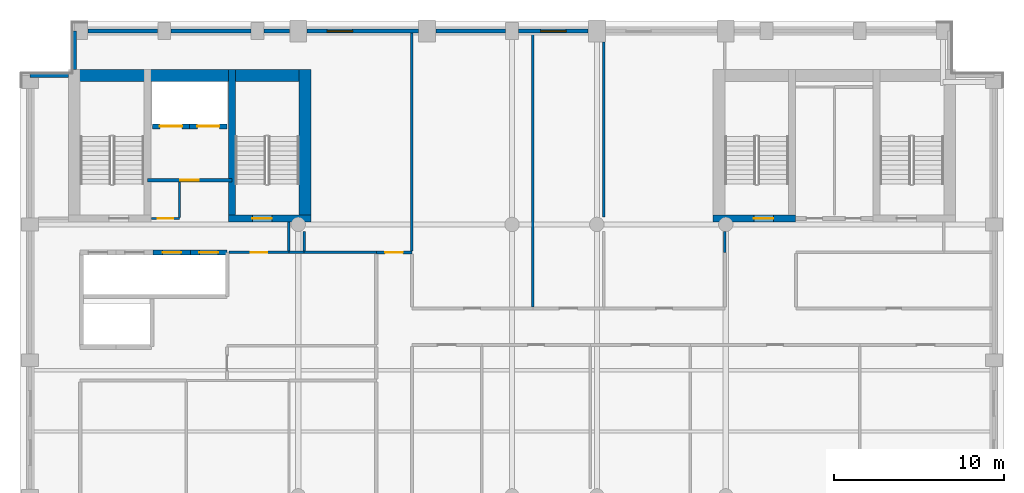
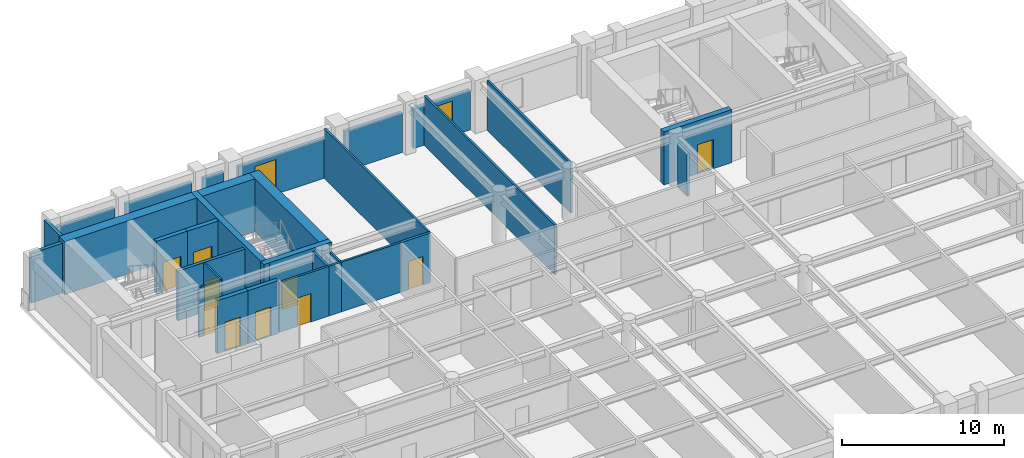
# One storey, part 5 of 9: 30 walls, 10 doors, 2 windows, 12 openings.
"""IFC4 building model written with IfcOpenShell, lengths in metres."""

from ifc_helpers import new_model, si_unit, direction, frame, frame_2d, origin, place, context, subcontext, project, spatial, rectangle, extrude, material, layer, layer_set, type_object, element, fill, save


model = new_model("IFC4")

# Units and contexts
model_context = context("Model", 3, precision=1e-05, world=origin(), true_north=direction((0.0, 1.0)))
body_context = subcontext(model_context, "Body", "Model", "MODEL_VIEW")
ifc_project = project(units=[si_unit("LENGTHUNIT", "METRE"), si_unit("AREAUNIT", "SQUARE_METRE"), si_unit("VOLUMEUNIT", "CUBIC_METRE"), si_unit("PLANEANGLEUNIT", "RADIAN"), si_unit("MASSUNIT", "GRAM", prefix="KILO")], contexts=[model_context])

# Site, building, storey
site_placement = place(None, origin())
site = spatial("IfcSite", under=ifc_project, at=site_placement, CompositionType="ELEMENT")
building_placement = place(site_placement, origin())
building = spatial("IfcBuilding", under=site, at=building_placement, Name="Sulina Concourse Tower", CompositionType="ELEMENT")
storey_placement = place(building_placement, frame((0.0, 0.0, 268.60009765625)))
storey = spatial("IfcBuildingStorey", under=building, at=storey_placement, Name="L65", CompositionType="ELEMENT", Elevation=268.60009765625)

# Wall, opening, door
ifc_material_1 = material(Name="Concrete C50/60", Category="concrete")
ifc_layer_1 = layer(ifc_material_1, 0.300048828125)
ifc_layer_set_1 = layer_set([ifc_layer_1], Name="Concrete C50/60")
wall_type_1 = type_object("IfcWallType", Name="Core Lift Hoistway Wall 300mm", PredefinedType="SOLIDWALL", material=ifc_layer_set_1)
wall_1_placement = place(storey_placement, frame((7.85009765625, 32.35009765625, 0.0), z_axis=(0.0, 0.0, 1.0), x_axis=(1.0, 0.0, 0.0)))
wall_1 = element("IfcWall", 1, at=wall_1_placement, inside=storey, type_object=wall_type_1, Name="L65 hoistway enclosure wall LP-11", PredefinedType="SOLIDWALL", context=body_context, shape_type="SweptSolid", body=[
    extrude(rectangle(XDim=2.199951171875, YDim=0.300048828125, at=frame_2d((1.10009765625, 0.0))), origin(), (0.0, 0.0, 1.0), 4.0),
])
opening_1_placement = place(wall_1_placement, frame((0.550048828125, 0.0, 0.0)))
opening_1 = element("IfcOpeningElement", 2, at=opening_1_placement, cuts=wall_1, Name="Opening LD-01", PredefinedType="OPENING", context=body_context, shape_type="SweptSolid", body=[
    extrude(rectangle(XDim=1.10009765625, YDim=2.199951171875, at=frame_2d((0.550048828125, 1.10009765625))), frame((0.0, 0.159912109375, 0.0), z_axis=(0.0, -1.0, 0.0), x_axis=(1.0, 0.0, 0.0)), (0.0, 0.0, 1.0), 0.320068359375),
])
ifc_material_2 = material(Name="Stainless steel lift landing door", Category="steel")
ifc_layer_2 = layer(ifc_material_2, 0.050048828125)
ifc_layer_set_2 = layer_set([ifc_layer_2], Name="Stainless steel lift landing door")
door_type_1 = type_object("IfcDoorType", Name="Passenger Lift Sliding Landing Door 1100x2200", OperationType="SLIDING_TO_LEFT", PredefinedType="DOOR", material=ifc_layer_set_2)
door_1_placement = place(opening_1_placement, origin())
door_1 = element("IfcDoor", 3, at=door_1_placement, inside=storey, type_object=door_type_1, Name="L65 lift landing sliding door LP-11", OperationType="SLIDING_TO_LEFT", OverallHeight=2.199951171875, OverallWidth=1.10009765625, PredefinedType="DOOR", context=body_context, shape_type="SweptSolid", body=[
    extrude(rectangle(XDim=1.10009765625, YDim=2.199951171875, at=frame_2d((0.550048828125, 1.10009765625))), frame((0.0, 0.02490234375, 0.0), z_axis=(0.0, -1.0, 0.0), x_axis=(1.0, 0.0, 0.0)), (0.0, 0.0, 1.0), 0.050048828125),
])
fill(opening_1, door_1)

wall_2_placement = place(storey_placement, frame((10.050048828125, 32.35009765625, 0.0), z_axis=(0.0, 0.0, 1.0), x_axis=(1.0, 0.0, 0.0)))
wall_2 = element("IfcWall", 4, at=wall_2_placement, inside=storey, type_object=wall_type_1, Name="L65 hoistway enclosure wall LP-12", PredefinedType="SOLIDWALL", context=body_context, shape_type="SweptSolid", body=[
    extrude(rectangle(XDim=2.14990234375, YDim=0.300048828125, at=frame_2d((1.074951171875, 0.0))), origin(), (0.0, 0.0, 1.0), 4.0),
])
opening_2_placement = place(wall_2_placement, frame((0.52490234375, 0.0, 0.0)))
opening_2 = element("IfcOpeningElement", 5, at=opening_2_placement, cuts=wall_2, Name="Opening LD-01", PredefinedType="OPENING", context=body_context, shape_type="SweptSolid", body=[
    extrude(rectangle(XDim=1.10009765625, YDim=2.199951171875, at=frame_2d((0.550048828125, 1.10009765625))), frame((0.0, 0.159912109375, 0.0), z_axis=(0.0, -1.0, 0.0), x_axis=(1.0, 0.0, 0.0)), (0.0, 0.0, 1.0), 0.320068359375),
])
door_2_placement = place(opening_2_placement, origin())
door_2 = element("IfcDoor", 6, at=door_2_placement, inside=storey, type_object=door_type_1, Name="L65 lift landing sliding door LP-12", OperationType="SLIDING_TO_RIGHT", OverallHeight=2.199951171875, OverallWidth=1.10009765625, PredefinedType="DOOR", context=body_context, shape_type="SweptSolid", body=[
    extrude(rectangle(XDim=1.10009765625, YDim=2.199951171875, at=frame_2d((0.550048828125, 1.10009765625))), frame((0.0, 0.02490234375, 0.0), z_axis=(0.0, -1.0, 0.0), x_axis=(1.0, 0.0, 0.0)), (0.0, 0.0, 1.0), 0.050048828125),
])
fill(opening_2, door_2)

wall_3_placement = place(storey_placement, frame((10.0, 39.780029296875, 0.0), z_axis=(0.0, 0.0, 1.0), x_axis=(-1.0, 0.0, 0.0)))
wall_3 = element("IfcWall", 7, at=wall_3_placement, inside=storey, type_object=wall_type_1, Name="L65 hoistway enclosure wall FFL-1", PredefinedType="SOLIDWALL", context=body_context, shape_type="SweptSolid", body=[
    extrude(rectangle(XDim=2.199951171875, YDim=0.300048828125, at=frame_2d((1.10009765625, 0.0))), origin(), (0.0, 0.0, 1.0), 4.0),
])
opening_3_placement = place(wall_3_placement, frame((0.449951171875, 0.0, 0.0)))
opening_3 = element("IfcOpeningElement", 8, at=opening_3_placement, cuts=wall_3, Name="Opening LD-02", PredefinedType="OPENING", context=body_context, shape_type="SweptSolid", body=[
    extrude(rectangle(XDim=1.300048828125, YDim=2.25, at=frame_2d((0.64990234375, 1.125))), frame((0.0, 0.159912109375, 0.0), z_axis=(0.0, -1.0, 0.0), x_axis=(1.0, 0.0, 0.0)), (0.0, 0.0, 1.0), 0.320068359375),
])
ifc_material_3 = material(Name="Stainless steel lift landing door", Category="steel")
ifc_layer_3 = layer(ifc_material_3, 0.050048828125)
ifc_layer_set_3 = layer_set([ifc_layer_3], Name="Stainless steel lift landing door")
door_type_2 = type_object("IfcDoorType", Name="Firefighting Lift Sliding Landing Door 1300x2250", OperationType="SLIDING_TO_RIGHT", PredefinedType="DOOR", material=ifc_layer_set_3)
door_3_placement = place(opening_3_placement, origin())
door_3 = element("IfcDoor", 9, at=door_3_placement, inside=storey, type_object=door_type_2, Name="L65 lift landing sliding door FFL-1", OperationType="SLIDING_TO_LEFT", OverallHeight=2.25, OverallWidth=1.300048828125, PredefinedType="DOOR", context=body_context, shape_type="SweptSolid", body=[
    extrude(rectangle(XDim=1.300048828125, YDim=2.25, at=frame_2d((0.64990234375, 1.125))), frame((0.0, 0.02490234375, 0.0), z_axis=(0.0, -1.0, 0.0), x_axis=(1.0, 0.0, 0.0)), (0.0, 0.0, 1.0), 0.050048828125),
])
fill(opening_3, door_3)

wall_4_placement = place(storey_placement, frame((12.199951171875, 39.780029296875, 0.0), z_axis=(0.0, 0.0, 1.0), x_axis=(-1.0, 0.0, 0.0)))
wall_4 = element("IfcWall", 10, at=wall_4_placement, inside=storey, type_object=wall_type_1, Name="L65 hoistway enclosure wall FFL-2", PredefinedType="SOLIDWALL", context=body_context, shape_type="SweptSolid", body=[
    extrude(rectangle(XDim=2.199951171875, YDim=0.300048828125, at=frame_2d((1.10009765625, 0.0))), origin(), (0.0, 0.0, 1.0), 4.0),
])
opening_4_placement = place(wall_4_placement, frame((0.449951171875, 0.0, 0.0)))
opening_4 = element("IfcOpeningElement", 11, at=opening_4_placement, cuts=wall_4, Name="Opening LD-02", PredefinedType="OPENING", context=body_context, shape_type="SweptSolid", body=[
    extrude(rectangle(XDim=1.300048828125, YDim=2.25, at=frame_2d((0.64990234375, 1.125))), frame((0.0, 0.159912109375, 0.0), z_axis=(0.0, -1.0, 0.0), x_axis=(1.0, 0.0, 0.0)), (0.0, 0.0, 1.0), 0.320068359375),
])
door_4_placement = place(opening_4_placement, origin())
door_4 = element("IfcDoor", 12, at=door_4_placement, inside=storey, type_object=door_type_2, Name="L65 lift landing sliding door FFL-2", OperationType="SLIDING_TO_RIGHT", OverallHeight=2.25, OverallWidth=1.300048828125, PredefinedType="DOOR", context=body_context, shape_type="SweptSolid", body=[
    extrude(rectangle(XDim=1.300048828125, YDim=2.25, at=frame_2d((0.64990234375, 1.125))), frame((0.0, 0.02490234375, 0.0), z_axis=(0.0, -1.0, 0.0), x_axis=(1.0, 0.0, 0.0)), (0.0, 0.0, 1.0), 0.050048828125),
])
fill(opening_4, door_4)

# Walls
ifc_material_4 = material(Name="Precast concrete C50/60", Category="concrete")
ifc_layer_4 = layer(ifc_material_4, 0.239990234375)
ifc_layer_set_4 = layer_set([ifc_layer_4], Name="Precast concrete C50/60")
wall_type_2 = type_object("IfcWallType", Name="Crown Precast Masonry-Frame Facade Wall 240mm", PredefinedType="SOLIDWALL", material=ifc_layer_set_4)
wall_5_placement = place(storey_placement, frame((3.9951171875, 45.39990234375, 0.0), z_axis=(0.0, 0.0, 1.0), x_axis=(1.0, 0.0, 0.0)))
element("IfcWall", 13, at=wall_5_placement, inside=storey, type_object=wall_type_2, Name="L65 exterior precast wall N1", PredefinedType="SOLIDWALL", context=body_context, shape_type="SweptSolid", body=[
    extrude(rectangle(XDim=4.10986328125, YDim=0.239990234375, at=frame_2d((2.054931640625, 0.0))), origin(), (0.0, 0.0, 1.0), 3.0),
])
wall_6_placement = place(storey_placement, frame((8.89501953125, 45.39990234375, 0.0), z_axis=(0.0, 0.0, 1.0), x_axis=(1.0, 0.0, 0.0)))
element("IfcWall", 14, at=wall_6_placement, inside=storey, type_object=wall_type_2, Name="L65 exterior precast wall N2", PredefinedType="SOLIDWALL", context=body_context, shape_type="SweptSolid", body=[
    extrude(rectangle(XDim=4.7099609375, YDim=0.239990234375, at=frame_2d((2.35498046875, 0.0))), origin(), (0.0, 0.0, 1.0), 3.0),
])
wall_7_placement = place(storey_placement, frame((14.39501953125, 45.39990234375, 0.0), z_axis=(0.0, 0.0, 1.0), x_axis=(1.0, 0.0, 0.0)))
element("IfcWall", 15, at=wall_7_placement, inside=storey, type_object=wall_type_2, Name="L65 exterior precast wall N3", PredefinedType="SOLIDWALL", context=body_context, shape_type="SweptSolid", body=[
    extrude(rectangle(XDim=1.48486328125, YDim=0.239990234375, at=frame_2d((0.742431640625, 0.0))), origin(), (0.0, 0.0, 1.0), 3.0),
])

# Wall, opening, window
wall_8_placement = place(storey_placement, frame((16.919921875, 45.39990234375, 0.0), z_axis=(0.0, 0.0, 1.0), x_axis=(1.0, 0.0, 0.0)))
wall_8 = element("IfcWall", 16, at=wall_8_placement, inside=storey, type_object=wall_type_2, Name="L65 exterior precast wall N4", PredefinedType="SOLIDWALL", context=body_context, shape_type="SweptSolid", body=[
    extrude(rectangle(XDim=6.56005859375, YDim=0.239990234375, at=frame_2d((3.280029296875, 0.0))), origin(), (0.0, 0.0, 1.0), 3.0),
])
opening_5_placement = place(wall_8_placement, frame((1.186767578125, 0.0, 0.419921875)))
opening_5 = element("IfcOpeningElement", 17, at=opening_5_placement, cuts=wall_8, Name="Opening WN-71", PredefinedType="OPENING", context=body_context, shape_type="SweptSolid", body=[
    extrude(rectangle(XDim=1.5, YDim=2.199951171875, at=frame_2d((0.75, 1.10009765625))), frame((0.0, 0.1298828125, 0.0), z_axis=(0.0, -1.0, 0.0), x_axis=(1.0, 0.0, 0.0)), (0.0, 0.0, 1.0), 0.260009765625),
])
ifc_material_5 = material(Name="Low-E solar double glazing in bronze aluminium", Category="aluminium")
window_type = type_object("IfcWindowType", Name="Punched Masonry-Frame Window 1500x2200", PartitioningType="SINGLE_PANEL", PredefinedType="WINDOW", material=ifc_material_5)
window_1_placement = place(opening_5_placement, origin())
window_1 = element("IfcWindow", 18, at=window_1_placement, inside=storey, type_object=window_type, Name="L65 punched window N4-1", OverallHeight=2.199951171875, OverallWidth=1.5, PartitioningType="SINGLE_PANEL", PredefinedType="WINDOW", context=body_context, shape_type="SweptSolid", body=[
    extrude(rectangle(XDim=1.5, YDim=2.199951171875, at=frame_2d((0.75, 1.10009765625))), frame((0.0, 0.030029296875, 0.0), z_axis=(0.0, -1.0, 0.0), x_axis=(1.0, 0.0, 0.0)), (0.0, 0.0, 1.0), 0.06005859375),
])
fill(opening_5, window_1)

# Wall
wall_9_placement = place(storey_placement, frame((24.52001953125, 45.39990234375, 0.0), z_axis=(0.0, 0.0, 1.0), x_axis=(1.0, 0.0, 0.0)))
element("IfcWall", 19, at=wall_9_placement, inside=storey, type_object=wall_type_2, Name="L65 exterior precast wall N5", PredefinedType="SOLIDWALL", context=body_context, shape_type="SweptSolid", body=[
    extrude(rectangle(XDim=4.0849609375, YDim=0.239990234375, at=frame_2d((2.04248046875, 0.0))), origin(), (0.0, 0.0, 1.0), 3.0),
])

# Wall, opening, window
wall_10_placement = place(storey_placement, frame((29.39501953125, 45.39990234375, 0.0), z_axis=(0.0, 0.0, 1.0), x_axis=(1.0, 0.0, 0.0)))
wall_10 = element("IfcWall", 20, at=wall_10_placement, inside=storey, type_object=wall_type_2, Name="L65 exterior precast wall N6", PredefinedType="SOLIDWALL", context=body_context, shape_type="SweptSolid", body=[
    extrude(rectangle(XDim=4.0849609375, YDim=0.239990234375, at=frame_2d((2.04248046875, 0.0))), origin(), (0.0, 0.0, 1.0), 3.0),
])
opening_6_placement = place(wall_10_placement, frame((1.29248046875, 0.0, 0.419921875)))
opening_6 = element("IfcOpeningElement", 21, at=opening_6_placement, cuts=wall_10, Name="Opening WN-71", PredefinedType="OPENING", context=body_context, shape_type="SweptSolid", body=[
    extrude(rectangle(XDim=1.5, YDim=2.199951171875, at=frame_2d((0.75, 1.10009765625))), frame((0.0, 0.1298828125, 0.0), z_axis=(0.0, -1.0, 0.0), x_axis=(1.0, 0.0, 0.0)), (0.0, 0.0, 1.0), 0.260009765625),
])
window_2_placement = place(opening_6_placement, origin())
window_2 = element("IfcWindow", 22, at=window_2_placement, inside=storey, type_object=window_type, Name="L65 punched window N6-1", OverallHeight=2.199951171875, OverallWidth=1.5, PartitioningType="SINGLE_PANEL", PredefinedType="WINDOW", context=body_context, shape_type="SweptSolid", body=[
    extrude(rectangle(XDim=1.5, YDim=2.199951171875, at=frame_2d((0.75, 1.10009765625))), frame((0.0, 0.030029296875, 0.0), z_axis=(0.0, -1.0, 0.0), x_axis=(1.0, 0.0, 0.0)), (0.0, 0.0, 1.0), 0.06005859375),
])
fill(opening_6, window_2)

# Walls
wall_11_placement = place(storey_placement, frame((0.60009765625, 42.794921875, 0.0), z_axis=(0.0, 0.0, 1.0), x_axis=(1.0, 0.0, 0.0)))
element("IfcWall", 23, at=wall_11_placement, inside=storey, type_object=wall_type_2, Name="L65 exterior precast wall CNW1", PredefinedType="SOLIDWALL", context=body_context, shape_type="SweptSolid", body=[
    extrude(rectangle(XDim=2.244873046875, YDim=0.239990234375, at=frame_2d((1.12255859375, 0.0))), origin(), (0.0, 0.0, 1.0), 3.75),
])
wall_12_placement = place(storey_placement, frame((3.205078125, 43.135009765625, 0.0), z_axis=(0.0, 0.0, 1.0), x_axis=(0.0, 1.0, 0.0)))
element("IfcWall", 24, at=wall_12_placement, inside=storey, type_object=wall_type_2, Name="L65 exterior precast wall CNW2", PredefinedType="SOLIDWALL", context=body_context, shape_type="SweptSolid", body=[
    extrude(rectangle(XDim=2.264892578125, YDim=0.239990234375, at=frame_2d((1.13232421875, 0.0))), origin(), (0.0, 0.0, 1.0), 3.75),
])

# Wall, opening, door
ifc_material_6 = material(Name="Gypsum board on steel stud", Category="steel")
ifc_layer_5 = layer(ifc_material_6, 0.219970703125)
ifc_layer_set_5 = layer_set([ifc_layer_5], Name="Gypsum board on steel stud")
wall_type_3 = type_object("IfcWallType", Name="Fire-Rated Lobby & Compartment Wall 220mm", PredefinedType="PARTITIONING", material=ifc_layer_set_5)
wall_13_placement = place(storey_placement, frame((7.510009765625, 36.60009765625, 0.0), z_axis=(0.0, 0.0, 1.0), x_axis=(1.0, 0.0, 0.0)))
wall_13 = element("IfcWall", 25, at=wall_13_placement, inside=storey, type_object=wall_type_3, Name="L65 firefighting lobby south fire wall", PredefinedType="PARTITIONING", context=body_context, shape_type="SweptSolid", body=[
    extrude(rectangle(XDim=4.97998046875, YDim=0.219970703125, at=frame_2d((2.489990234375, 0.0))), origin(), (0.0, 0.0, 1.0), 3.75),
])
opening_7_placement = place(wall_13_placement, frame((1.93994140625, 0.0, 0.0)))
opening_7 = element("IfcOpeningElement", 26, at=opening_7_placement, cuts=wall_13, Name="Opening DR-47", PredefinedType="OPENING", context=body_context, shape_type="SweptSolid", body=[
    extrude(rectangle(XDim=1.10009765625, YDim=2.199951171875, at=frame_2d((0.550048828125, 1.10009765625))), frame((0.0, 0.119873046875, 0.0), z_axis=(0.0, -1.0, 0.0), x_axis=(1.0, 0.0, 0.0)), (0.0, 0.0, 1.0), 0.239990234375),
])
ifc_material_7 = material(Name="Galvanised steel acoustic fire leaf", Category="steel")
ifc_layer_6 = layer(ifc_material_7, 0.054931640625)
ifc_layer_set_6 = layer_set([ifc_layer_6], Name="Galvanised steel acoustic fire leaf")
door_type_3 = type_object("IfcDoorType", Name="Firefighting Lobby Fire Door 1100x2200", OperationType="NOTDEFINED", PredefinedType="DOOR", material=ifc_layer_set_6)
door_5_placement = place(opening_7_placement, origin())
door_5 = element("IfcDoor", 27, at=door_5_placement, inside=storey, type_object=door_type_3, Name="L65 firefighting lobby fire door", OperationType="SINGLE_SWING_RIGHT", OverallHeight=2.199951171875, OverallWidth=1.10009765625, PredefinedType="DOOR", context=body_context, shape_type="SweptSolid", body=[
    extrude(rectangle(XDim=1.10009765625, YDim=2.199951171875, at=frame_2d((0.550048828125, 1.10009765625))), frame((0.0, 0.02490234375, 0.0), z_axis=(0.0, -1.0, 0.0), x_axis=(1.0, 0.0, 0.0)), (0.0, 0.0, 1.0), 0.050048828125),
])
fill(opening_7, door_5)

ifc_material_8 = material(Name="Gypsum board on steel stud", Category="steel")
ifc_layer_7 = layer(ifc_material_8, 0.14990234375)
ifc_layer_set_7 = layer_set([ifc_layer_7], Name="Gypsum board on steel stud")
wall_type_4 = type_object("IfcWallType", Name="Inter-Tenancy Acoustic Partition 150mm", PredefinedType="PARTITIONING", material=ifc_layer_set_7)
wall_14_placement = place(storey_placement, frame((12.330078125, 32.35009765625, 0.0), z_axis=(0.0, 0.0, 1.0), x_axis=(1.0, 0.0, 0.0)))
wall_14 = element("IfcWall", 28, at=wall_14_placement, inside=storey, type_object=wall_type_4, Name="L65 interior partition 021", PredefinedType="PARTITIONING", context=body_context, shape_type="SweptSolid", body=[
    extrude(rectangle(XDim=3.52001953125, YDim=0.14990234375, at=frame_2d((1.760009765625, 0.0))), origin(), (0.0, 0.0, 1.0), 3.75),
])
opening_8_placement = place(wall_14_placement, frame((1.284912109375, 0.0, 0.0)))
opening_8 = element("IfcOpeningElement", 29, at=opening_8_placement, cuts=wall_14, Name="Opening DR-19", PredefinedType="OPENING", context=body_context, shape_type="SweptSolid", body=[
    extrude(rectangle(XDim=0.949951171875, YDim=2.14990234375, at=frame_2d((0.47509765625, 1.074951171875))), frame((0.0, 0.0849609375, 0.0), z_axis=(0.0, -1.0, 0.0), x_axis=(1.0, 0.0, 0.0)), (0.0, 0.0, 1.0), 0.169921875),
])
ifc_material_9 = material(Name="Oak-veneered acoustic timber leaf", Category="wood")
ifc_layer_8 = layer(ifc_material_9, 0.050048828125)
ifc_layer_set_8 = layer_set([ifc_layer_8], Name="Oak-veneered acoustic timber leaf")
door_type_4 = type_object("IfcDoorType", Name="Cellular Office & Meeting Door 950x2150", OperationType="NOTDEFINED", PredefinedType="DOOR", material=ifc_layer_set_8)
door_6_placement = place(opening_8_placement, origin())
door_6 = element("IfcDoor", 30, at=door_6_placement, inside=storey, type_object=door_type_4, Name="L65 interior door L65-MR-MRG2", OperationType="SINGLE_SWING_RIGHT", OverallHeight=2.14990234375, OverallWidth=0.949951171875, PredefinedType="DOOR", context=body_context, shape_type="SweptSolid", body=[
    extrude(rectangle(XDim=0.949951171875, YDim=2.14990234375, at=frame_2d((0.47509765625, 1.074951171875))), frame((0.0, 0.02490234375, 0.0), z_axis=(0.0, -1.0, 0.0), x_axis=(1.0, 0.0, 0.0)), (0.0, 0.0, 1.0), 0.050048828125),
])
fill(opening_8, door_6)

# Walls
wall_15_placement = place(storey_placement, frame((15.85009765625, 32.35009765625, 0.0), z_axis=(0.0, 0.0, 1.0), x_axis=(1.0, 0.0, 0.0)))
element("IfcWall", 31, at=wall_15_placement, inside=storey, type_object=wall_type_4, Name="L65 interior partition 022", PredefinedType="PARTITIONING", context=body_context, shape_type="SweptSolid", body=[
    extrude(rectangle(XDim=0.89990234375, YDim=0.14990234375, at=frame_2d((0.449951171875, 0.0))), origin(), (0.0, 0.0, 1.0), 3.75),
])
wall_16_placement = place(storey_placement, frame((16.75, 32.35009765625, 0.0), z_axis=(0.0, 0.0, 1.0), x_axis=(1.0, 0.0, 0.0)))
element("IfcWall", 32, at=wall_16_placement, inside=storey, type_object=wall_type_4, Name="L65 interior partition 023", PredefinedType="PARTITIONING", context=body_context, shape_type="SweptSolid", body=[
    extrude(rectangle(XDim=4.25, YDim=0.14990234375, at=frame_2d((2.125, 0.0))), origin(), (0.0, 0.0, 1.0), 3.75),
])
wall_17_placement = place(storey_placement, frame((15.85009765625, 32.425048828125, 0.0), z_axis=(0.0, 0.0, 1.0), x_axis=(0.0, 1.0, 0.0)))
element("IfcWall", 33, at=wall_17_placement, inside=storey, type_object=wall_type_4, Name="L65 interior partition 037", PredefinedType="PARTITIONING", context=body_context, shape_type="SweptSolid", body=[
    extrude(rectangle(XDim=1.724853515625, YDim=0.14990234375, at=frame_2d((0.8623046875, 0.0))), origin(), (0.0, 0.0, 1.0), 3.75),
])
wall_18_placement = place(storey_placement, frame((16.75, 32.425048828125, 0.0), z_axis=(0.0, 0.0, 1.0), x_axis=(0.0, 1.0, 0.0)))
element("IfcWall", 34, at=wall_18_placement, inside=storey, type_object=wall_type_4, Name="L65 interior partition 039", PredefinedType="PARTITIONING", context=body_context, shape_type="SweptSolid", body=[
    extrude(rectangle(XDim=1.14990234375, YDim=0.14990234375, at=frame_2d((0.574951171875, 0.0))), origin(), (0.0, 0.0, 1.0), 3.75),
])
wall_19_placement = place(storey_placement, frame((23.10009765625, 32.43994140625, 0.0), z_axis=(0.0, 0.0, 1.0), x_axis=(0.0, 1.0, 0.0)))
element("IfcWall", 35, at=wall_19_placement, inside=storey, type_object=wall_type_4, Name="L65 interior partition 047", PredefinedType="PARTITIONING", context=body_context, shape_type="SweptSolid", body=[
    extrude(rectangle(XDim=12.840087890625, YDim=0.14990234375, at=frame_2d((6.419921875, 0.0))), origin(), (0.0, 0.0, 1.0), 3.75),
])
wall_20_placement = place(storey_placement, frame((30.22998046875, 29.139892578125, 0.0), z_axis=(0.0, 0.0, 1.0), x_axis=(0.0, 1.0, 0.0)))
element("IfcWall", 36, at=wall_20_placement, inside=storey, type_object=wall_type_4, Name="L65 interior partition 049", PredefinedType="PARTITIONING", context=body_context, shape_type="SweptSolid", body=[
    extrude(rectangle(XDim=16.14013671875, YDim=0.14990234375, at=frame_2d((8.070068359375, 0.0))), origin(), (0.0, 0.0, 1.0), 3.75),
])
wall_21_placement = place(storey_placement, frame((34.419921875, 34.425048828125, 0.0), z_axis=(0.0, 0.0, 1.0), x_axis=(0.0, 1.0, 0.0)))
element("IfcWall", 37, at=wall_21_placement, inside=storey, type_object=wall_type_4, Name="L65 interior partition 053", PredefinedType="PARTITIONING", context=body_context, shape_type="SweptSolid", body=[
    extrude(rectangle(XDim=10.324951171875, YDim=0.14990234375, at=frame_2d((5.16259765625, 0.0))), origin(), (0.0, 0.0, 1.0), 3.75),
])
wall_22_placement = place(storey_placement, frame((41.550048828125, 32.35009765625, 0.0), z_axis=(0.0, 0.0, 1.0), x_axis=(0.0, 1.0, 0.0)))
element("IfcWall", 38, at=wall_22_placement, inside=storey, type_object=wall_type_4, Name="L65 interior partition 056", PredefinedType="PARTITIONING", context=body_context, shape_type="SweptSolid", body=[
    extrude(rectangle(XDim=1.224853515625, YDim=0.14990234375, at=frame_2d((0.6123046875, 0.0))), origin(), (0.0, 0.0, 1.0), 3.19482421875),
])

# Wall, opening, door
ifc_material_10 = material(Name="Gypsum board on steel stud", Category="steel")
ifc_layer_9 = layer(ifc_material_10, 0.179931640625)
ifc_layer_set_9 = layer_set([ifc_layer_9], Name="Gypsum board on steel stud")
wall_type_5 = type_object("IfcWallType", Name="Protected Corridor & Riser Partition 180mm", PredefinedType="PARTITIONING", material=ifc_layer_set_9)
wall_23_placement = place(storey_placement, frame((21.0, 32.35009765625, 0.0), z_axis=(0.0, 0.0, 1.0), x_axis=(1.0, 0.0, 0.0)))
wall_23 = element("IfcWall", 39, at=wall_23_placement, inside=storey, type_object=wall_type_5, Name="L65 interior partition 024", PredefinedType="PARTITIONING", context=body_context, shape_type="SweptSolid", body=[
    extrude(rectangle(XDim=2.10009765625, YDim=0.179931640625, at=frame_2d((1.050048828125, 0.0))), origin(), (0.0, 0.0, 1.0), 3.75),
])
opening_9_placement = place(wall_23_placement, frame((0.52490234375, 0.0, 0.0)))
opening_9 = element("IfcOpeningElement", 40, at=opening_9_placement, cuts=wall_23, Name="Opening DR-37", PredefinedType="OPENING", context=body_context, shape_type="SweptSolid", body=[
    extrude(rectangle(XDim=1.050048828125, YDim=2.14990234375, at=frame_2d((0.52490234375, 1.074951171875))), frame((0.0, 0.099853515625, 0.0), z_axis=(0.0, -1.0, 0.0), x_axis=(1.0, 0.0, 0.0)), (0.0, 0.0, 1.0), 0.199951171875),
])
ifc_material_11 = material(Name="Oak-veneered fire door leaf")
ifc_layer_10 = layer(ifc_material_11, 0.050048828125)
ifc_layer_set_10 = layer_set([ifc_layer_10], Name="Oak-veneered fire door leaf")
door_type_5 = type_object("IfcDoorType", Name="Tenant Suite Entrance Fire Door 1050x2150", OperationType="NOTDEFINED", PredefinedType="DOOR", material=ifc_layer_set_10)
door_7_placement = place(opening_9_placement, origin())
door_7 = element("IfcDoor", 41, at=door_7_placement, inside=storey, type_object=door_type_5, Name="L65 interior door L65-NC-NW", OperationType="SINGLE_SWING_LEFT", OverallHeight=2.14990234375, OverallWidth=1.050048828125, PredefinedType="DOOR", context=body_context, shape_type="SweptSolid", body=[
    extrude(rectangle(XDim=1.050048828125, YDim=2.14990234375, at=frame_2d((0.52490234375, 1.074951171875))), frame((0.0, 0.02490234375, 0.0), z_axis=(0.0, -1.0, 0.0), x_axis=(1.0, 0.0, 0.0)), (0.0, 0.0, 1.0), 0.050048828125),
])
fill(opening_9, door_7)

ifc_material_12 = material(Name="Concrete C60/75", Category="concrete")
ifc_layer_11 = layer(ifc_material_12, 0.39990234375)
ifc_layer_set_11 = layer_set([ifc_layer_11], Name="Concrete C60/75")
wall_type_6 = type_object("IfcWallType", Name="Protected Stair Core Shear Wall 400mm", PredefinedType="SHEAR", material=ifc_layer_set_11)
wall_24_placement = place(storey_placement, frame((12.2900390625, 34.35009765625, 0.0), z_axis=(0.0, 0.0, 1.0), x_axis=(1.0, 0.0, 0.0)))
wall_24 = element("IfcWall", 42, at=wall_24_placement, inside=storey, type_object=wall_type_6, Name="L65 west core shear wall CW-WS2", PredefinedType="SHEAR", context=body_context, shape_type="SweptSolid", body=[
    extrude(rectangle(XDim=4.85986328125, YDim=0.39990234375, at=frame_2d((2.429931640625, 0.0))), origin(), (0.0, 0.0, 1.0), 4.0),
])
opening_10_placement = place(wall_24_placement, frame((1.39990234375, 0.0, 0.0)))
opening_10 = element("IfcOpeningElement", 43, at=opening_10_placement, cuts=wall_24, Name="Opening DR-60", PredefinedType="OPENING", context=body_context, shape_type="SweptSolid", body=[
    extrude(rectangle(XDim=1.14990234375, YDim=2.199951171875, at=frame_2d((0.574951171875, 1.10009765625))), frame((0.0, 0.2099609375, 0.0), z_axis=(0.0, -1.0, 0.0), x_axis=(1.0, 0.0, 0.0)), (0.0, 0.0, 1.0), 0.419921875),
])
ifc_material_13 = material(Name="Galvanised steel acoustic fire leaf", Category="steel")
ifc_layer_12 = layer(ifc_material_13, 0.054931640625)
ifc_layer_set_12 = layer_set([ifc_layer_12], Name="Galvanised steel acoustic fire leaf")
door_type_6 = type_object("IfcDoorType", Name="Protected Exit Stair Fire Door 1150x2200", OperationType="NOTDEFINED", PredefinedType="DOOR", material=ifc_layer_set_12)
door_8_placement = place(opening_10_placement, origin())
door_8 = element("IfcDoor", 44, at=door_8_placement, inside=storey, type_object=door_type_6, Name="L65 stair ST-2 lobby fire door", OperationType="SINGLE_SWING_LEFT", OverallHeight=2.199951171875, OverallWidth=1.14990234375, PredefinedType="DOOR", context=body_context, shape_type="SweptSolid", body=[
    extrude(rectangle(XDim=1.14990234375, YDim=2.199951171875, at=frame_2d((0.574951171875, 1.10009765625))), frame((0.0, 0.02490234375, 0.0), z_axis=(0.0, -1.0, 0.0), x_axis=(1.0, 0.0, 0.0)), (0.0, 0.0, 1.0), 0.050048828125),
])
fill(opening_10, door_8)

# Wall
wall_25_placement = place(storey_placement, frame((12.489990234375, 34.14990234375, 0.0), z_axis=(0.0, 0.0, 1.0), x_axis=(0.0, 1.0, 0.0)))
element("IfcWall", 45, at=wall_25_placement, inside=storey, type_object=wall_type_6, Name="L65 west core shear wall SW-ST2", PredefinedType="SHEAR", context=body_context, shape_type="SweptSolid", body=[
    extrude(rectangle(XDim=8.97998046875, YDim=0.39990234375, at=frame_2d((4.489990234375, 0.0))), origin(), (0.0, 0.0, 1.0), 4.0),
])

# Wall, opening, door
wall_26_placement = place(storey_placement, frame((40.85009765625, 34.35009765625, 0.0), z_axis=(0.0, 0.0, 1.0), x_axis=(1.0, 0.0, 0.0)))
wall_26 = element("IfcWall", 46, at=wall_26_placement, inside=storey, type_object=wall_type_6, Name="L65 east core shear wall CW-ES1", PredefinedType="SHEAR", context=body_context, shape_type="SweptSolid", body=[
    extrude(rectangle(XDim=4.85986328125, YDim=0.39990234375, at=frame_2d((2.429931640625, 0.0))), origin(), (0.0, 0.0, 1.0), 4.0),
])
opening_11_placement = place(wall_26_placement, frame((2.39990234375, 0.0, 0.0)))
opening_11 = element("IfcOpeningElement", 47, at=opening_11_placement, cuts=wall_26, Name="Opening DR-60", PredefinedType="OPENING", context=body_context, shape_type="SweptSolid", body=[
    extrude(rectangle(XDim=1.14990234375, YDim=2.199951171875, at=frame_2d((0.574951171875, 1.10009765625))), frame((0.0, 0.2099609375, 0.0), z_axis=(0.0, -1.0, 0.0), x_axis=(1.0, 0.0, 0.0)), (0.0, 0.0, 1.0), 0.419921875),
])
door_9_placement = place(opening_11_placement, origin())
door_9 = element("IfcDoor", 48, at=door_9_placement, inside=storey, type_object=door_type_6, Name="L65 stair ST-3 south lobby fire door", OperationType="SINGLE_SWING_LEFT", OverallHeight=2.199951171875, OverallWidth=1.14990234375, PredefinedType="DOOR", context=body_context, shape_type="SweptSolid", body=[
    extrude(rectangle(XDim=1.14990234375, YDim=2.199951171875, at=frame_2d((0.574951171875, 1.10009765625))), frame((0.0, 0.02490234375, 0.0), z_axis=(0.0, -1.0, 0.0), x_axis=(1.0, 0.0, 0.0)), (0.0, 0.0, 1.0), 0.050048828125),
])
fill(opening_11, door_9)

# Walls
ifc_material_14 = material(Name="Concrete C60/75", Category="concrete")
ifc_layer_13 = layer(ifc_material_14, 0.699951171875)
ifc_layer_set_13 = layer_set([ifc_layer_13], Name="Concrete C60/75")
wall_type_7 = type_object("IfcWallType", Name="Rear Core Shear Wall 700mm", PredefinedType="SHEAR", material=ifc_layer_set_13)
wall_27_placement = place(storey_placement, frame((2.85009765625, 42.780029296875, 0.0), z_axis=(0.0, 0.0, 1.0), x_axis=(1.0, 0.0, 0.0)))
element("IfcWall", 49, at=wall_27_placement, inside=storey, type_object=wall_type_7, Name="L65 west core shear wall CW-WN", PredefinedType="SHEAR", context=body_context, shape_type="SweptSolid", body=[
    extrude(rectangle(XDim=14.2998046875, YDim=0.699951171875, at=frame_2d((7.14990234375, 0.0))), origin(), (0.0, 0.0, 1.0), 4.0),
])
wall_28_placement = place(storey_placement, frame((16.800048828125, 34.14990234375, 0.0), z_axis=(0.0, 0.0, 1.0), x_axis=(0.0, 1.0, 0.0)))
element("IfcWall", 50, at=wall_28_placement, inside=storey, type_object=wall_type_7, Name="L65 west core shear wall CW-WE", PredefinedType="SHEAR", context=body_context, shape_type="SweptSolid", body=[
    extrude(rectangle(XDim=8.97998046875, YDim=0.699951171875, at=frame_2d((4.489990234375, 0.0))), origin(), (0.0, 0.0, 1.0), 4.0),
])

# Wall, opening, door
ifc_material_15 = material(Name="Gypsum board on steel stud", Category="steel")
ifc_layer_14 = layer(ifc_material_15, 0.125)
ifc_layer_set_14 = layer_set([ifc_layer_14], Name="Gypsum board on steel stud")
wall_type_8 = type_object("IfcWallType", Name="Wet-Area Moisture-Resistant Partition 125mm", PredefinedType="PARTITIONING", material=ifc_layer_set_14)
wall_29_placement = place(storey_placement, frame((7.75, 34.35009765625, 0.0), z_axis=(0.0, 0.0, 1.0), x_axis=(1.0, 0.0, 0.0)))
wall_29 = element("IfcWall", 51, at=wall_29_placement, inside=storey, type_object=wall_type_8, Name="L65 interior partition 028", PredefinedType="PARTITIONING", context=body_context, shape_type="SweptSolid", body=[
    extrude(rectangle(XDim=1.64990234375, YDim=0.125, at=frame_2d((0.824951171875, 0.0))), origin(), (0.0, 0.0, 1.0), 3.75),
])
opening_12_placement = place(wall_29_placement, frame((0.364990234375, 0.0, 0.0)))
opening_12 = element("IfcOpeningElement", 52, at=opening_12_placement, cuts=wall_29, Name="Opening DR-61", PredefinedType="OPENING", context=body_context, shape_type="SweptSolid", body=[
    extrude(rectangle(XDim=0.919921875, YDim=2.10009765625, at=frame_2d((0.4599609375, 1.050048828125))), frame((0.0, 0.072509765625, 0.0), z_axis=(0.0, -1.0, 0.0), x_axis=(1.0, 0.0, 0.0)), (0.0, 0.0, 1.0), 0.14501953125),
])
ifc_material_16 = material(Name="Oak-veneered fire door leaf")
ifc_layer_15 = layer(ifc_material_16, 0.050048828125)
ifc_layer_set_15 = layer_set([ifc_layer_15], Name="Oak-veneered fire door leaf")
door_type_7 = type_object("IfcDoorType", Name="Accessible WC Door 920x2100", OperationType="NOTDEFINED", PredefinedType="DOOR", material=ifc_layer_set_15)
door_10_placement = place(opening_12_placement, origin())
door_10 = element("IfcDoor", 53, at=door_10_placement, inside=storey, type_object=door_type_7, Name="L65 interior door L65-WC-ACC", OperationType="SINGLE_SWING_RIGHT", OverallHeight=2.10009765625, OverallWidth=0.919921875, PredefinedType="DOOR", context=body_context, shape_type="SweptSolid", body=[
    extrude(rectangle(XDim=0.919921875, YDim=2.10009765625, at=frame_2d((0.4599609375, 1.050048828125))), frame((0.0, 0.02490234375, 0.0), z_axis=(0.0, -1.0, 0.0), x_axis=(1.0, 0.0, 0.0)), (0.0, 0.0, 1.0), 0.050048828125),
])
fill(opening_12, door_10)

# Wall
wall_30_placement = place(storey_placement, frame((9.39990234375, 34.41259765625, 0.0), z_axis=(0.0, 0.0, 1.0), x_axis=(0.0, 1.0, 0.0)))
element("IfcWall", 54, at=wall_30_placement, inside=storey, type_object=wall_type_8, Name="L65 interior partition 033", PredefinedType="PARTITIONING", context=body_context, shape_type="SweptSolid", body=[
    extrude(rectangle(XDim=2.077392578125, YDim=0.125, at=frame_2d((1.03857421875, 0.0))), origin(), (0.0, 0.0, 1.0), 3.75),
])

save(model, "model.ifc")
